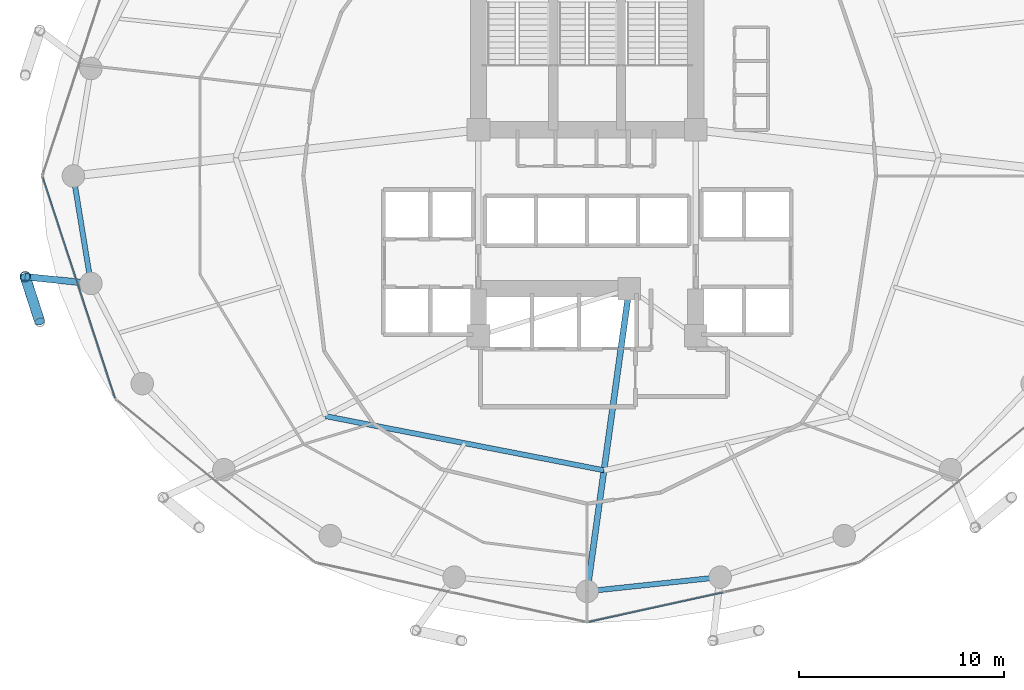
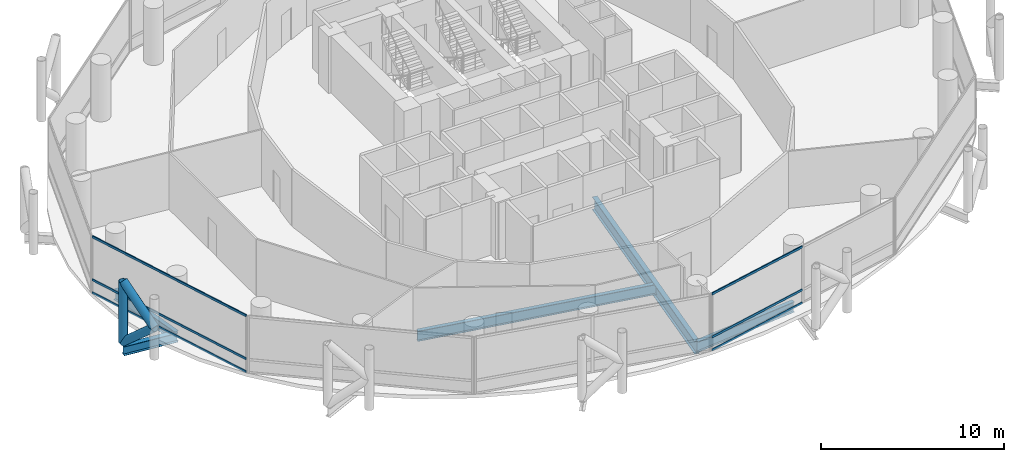
# One storey, part 5 of 25: 9 members, 5 beams, 2 elements without a shape of their own.
"""IFC4 building model written with IfcOpenShell, lengths in metres."""

from ifc_helpers import new_model, si_unit, direction, frame, origin, origin_2d, place, context, subcontext, project, spatial, hollow_rectangle, hollow_circle, i_section, extrude, material, layer, layer_set, material_profile, profile_set, type_object, element, aggregate, save


model = new_model("IFC4")

# Units and contexts
model_context = context("Model", 3, precision=1e-05, world=origin(), true_north=direction((0.0, 1.0)))
body_context = subcontext(model_context, "Body", "Model", "MODEL_VIEW")
ifc_project = project(units=[si_unit("LENGTHUNIT", "METRE"), si_unit("AREAUNIT", "SQUARE_METRE"), si_unit("VOLUMEUNIT", "CUBIC_METRE"), si_unit("PLANEANGLEUNIT", "RADIAN"), si_unit("MASSUNIT", "GRAM", prefix="KILO")], contexts=[model_context])

# Site, building, storey
site_placement = place(None, origin())
site = spatial("IfcSite", under=ifc_project, at=site_placement, CompositionType="ELEMENT")
building_placement = place(site_placement, origin())
building = spatial("IfcBuilding", under=site, at=building_placement, Name="Nuhasar Tower", CompositionType="ELEMENT")
storey_placement = place(building_placement, frame((0.0, 0.0, 61.5)))
storey = spatial("IfcBuildingStorey", under=building, at=storey_placement, Name="L14", CompositionType="ELEMENT", Elevation=61.5)

# Beams
ifc_material_1 = material(Name="Steel S355", Category="steel")
ifc_material_profile_1 = material_profile(ifc_material_1, i_section(OverallWidth=0.25390625, OverallDepth=0.68408203125, WebThickness=0.012451171875, FlangeThickness=0.018798828125, at=origin_2d()), Name="W27X94")
ifc_profile_set_1 = profile_set([ifc_material_profile_1], Name="Steel S355")
beam_type_1 = type_object("IfcBeamType", Name="BM-INRING-W27X94", PredefinedType="BEAM", material=ifc_profile_set_1)
beam_1_placement = place(storey_placement, frame((26.251953125, 15.089111328125, -0.592041015625), z_axis=(0.981602977761, -0.190933480695, 0.0), x_axis=(0.190933480695, 0.981602977761, 0.0)))
element("IfcBeam", 1, at=beam_1_placement, inside=storey, type_object=beam_type_1, Name="L14 Inner Header Beam 01", PredefinedType="BEAM", context=body_context, shape_type="SweptSolid", body=[
    extrude(i_section(OverallWidth=0.25390625, OverallDepth=0.68408203125, WebThickness=0.012451171875, FlangeThickness=0.018798828125, at=origin_2d()), origin(), (0.0, 0.0, 1.0), 13.822509765625),
])
ifc_material_profile_2 = material_profile(ifc_material_1, i_section(OverallWidth=0.2919921875, OverallDepth=0.85888671875, WebThickness=0.01708984375, FlangeThickness=0.031005859375, at=origin_2d()), Name="W33X169")
ifc_profile_set_2 = profile_set([ifc_material_profile_2], Name="Steel S355")
beam_type_2 = type_object("IfcBeamType", Name="BM-POD-W33X169", PredefinedType="BEAM", material=ifc_profile_set_2)
beam_2_placement = place(storey_placement, frame((41.050048828125, 21.300048828125, -0.678955078125), z_axis=(-0.137663087856, -0.990479113481, 0.0), x_axis=(0.990479113481, -0.137663087856, 0.0)))
element("IfcBeam", 2, at=beam_2_placement, inside=storey, type_object=beam_type_2, Name="L14 Radial Floor Girder 02", PredefinedType="BEAM", context=body_context, shape_type="SweptSolid", body=[
    extrude(i_section(OverallWidth=0.2919921875, OverallDepth=0.85888671875, WebThickness=0.01708984375, FlangeThickness=0.031005859375, at=origin_2d()), origin(), (0.0, 0.0, 1.0), 14.891845703125),
])
ifc_material_profile_3 = material_profile(ifc_material_1, i_section(OverallWidth=0.256103515625, OverallDepth=0.693115234375, WebThickness=0.014404296875, FlangeThickness=0.023681640625, at=origin_2d()), Name="W27X114")
ifc_profile_set_3 = profile_set([ifc_material_profile_3], Name="Steel S355")
beam_type_3 = type_object("IfcBeamType", Name="BM-RING-W27X114", PredefinedType="SPANDREL", material=ifc_profile_set_3)
beam_3_placement = place(storey_placement, frame((13.949951171875, 26.800048828125, -0.595947265625), z_axis=(0.160826635486, -0.986982671235, 0.0), x_axis=(0.986982671235, 0.160826635486, 0.0)))
element("IfcBeam", 3, at=beam_3_placement, inside=storey, type_object=beam_type_3, Name="L14 Perimeter Ring Spandrel 13", PredefinedType="SPANDREL", context=body_context, shape_type="SweptSolid", body=[
    extrude(i_section(OverallWidth=0.256103515625, OverallDepth=0.693115234375, WebThickness=0.014404296875, FlangeThickness=0.023681640625, at=origin_2d()), origin(), (0.0, 0.0, 1.0), 5.31005859375),
])
beam_4_placement = place(storey_placement, frame((39.0, 6.550048828125, -0.595947265625), z_axis=(0.994384554061, 0.105827022286, 0.0), x_axis=(-0.105827022286, 0.994384554061, 0.0)))
element("IfcBeam", 4, at=beam_4_placement, inside=storey, type_object=beam_type_3, Name="L14 Perimeter Ring Spandrel 19", PredefinedType="SPANDREL", context=body_context, shape_type="SweptSolid", body=[
    extrude(i_section(OverallWidth=0.256103515625, OverallDepth=0.693115234375, WebThickness=0.014404296875, FlangeThickness=0.023681640625, at=origin_2d()), origin(), (0.0, 0.0, 1.0), 6.51953125),
])
ifc_material_profile_4 = material_profile(ifc_material_1, i_section(OverallWidth=0.323974609375, OverallDepth=0.611083984375, WebThickness=0.0126953125, FlangeThickness=0.01904296875, at=origin_2d()), Name="W24X104")
ifc_profile_set_4 = profile_set([ifc_material_profile_4], Name="Steel S355")
beam_type_4 = type_object("IfcBeamType", Name="BM-TIE-W24X104", PredefinedType="BEAM", material=ifc_profile_set_4)
beam_5_placement = place(storey_placement, frame((14.803955078125, 21.55908203125, -0.555908203125), z_axis=(-0.994711572359, 0.102707778751, 0.0), x_axis=(-0.102707778751, -0.994711572359, 0.0)))
element("IfcBeam", 5, at=beam_5_placement, inside=storey, type_object=beam_type_4, Name="L14 Exoskeleton Node Tie Beam 07", PredefinedType="BEAM", context=body_context, shape_type="SweptSolid", body=[
    extrude(i_section(OverallWidth=0.323974609375, OverallDepth=0.611083984375, WebThickness=0.0126953125, FlangeThickness=0.01904296875, at=origin_2d()), origin(), (0.0, 0.0, 1.0), 3.220947265625),
])

# Curtain wall, members
ifc_material_2 = material(Name="Aluminium 6063-T6", Category="aluminium")
ifc_layer = layer(ifc_material_2, 0.199951171875)
ifc_layer_set = layer_set([ifc_layer], Name="Aluminium 6063-T6")
curtain_wall_type = type_object("IfcCurtainWallType", Name="CW-Z1-OFF", PredefinedType="NOTDEFINED", material=ifc_layer_set)
curtain_wall_1_placement = place(storey_placement, origin())
curtain_wall_1 = element("IfcCurtainWall", 6, at=curtain_wall_1_placement, inside=storey, type_object=curtain_wall_type, Name="L14 Unitised Curtain Wall 07", PredefinedType="NOTDEFINED")
ifc_material_profile_5 = material_profile(ifc_material_2, hollow_rectangle(XDim=0.06494140625, YDim=0.14990234375, WallThickness=0.00439453125, at=origin_2d()), Name="CWT-2")
ifc_profile_set_5 = profile_set([ifc_material_profile_5], Name="Aluminium 6063-T6")
member_type_1 = type_object("IfcMemberType", Name="CW-TRN-S2", PredefinedType="USERDEFINED", material=ifc_profile_set_5)
member_1_placement = place(storey_placement, frame((12.460205078125, 26.73828125, 0.032470703125), z_axis=(0.310818687697, -0.950469222741, 0.0), x_axis=(0.950469222741, 0.310818687697, 0.0)))
member_1 = element("IfcMember", 7, at=member_1_placement, type_object=member_type_1, Name="CW-Z1 transom 1.1", ObjectType="TRANSOM", PredefinedType="USERDEFINED", context=body_context, shape_type="SweptSolid", body=[
    extrude(hollow_rectangle(XDim=0.06494140625, YDim=0.14990234375, WallThickness=0.00439453125, at=origin_2d()), origin(), (0.0, 0.0, 1.0), 11.317138671875),
])
member_2_placement = place(storey_placement, frame((12.460205078125, 26.73828125, 0.89990234375), z_axis=(0.310818687697, -0.950469222741, 0.0), x_axis=(0.950469222741, 0.310818687697, 0.0)))
member_2 = element("IfcMember", 8, at=member_2_placement, type_object=member_type_1, Name="CW-Z1 transom 1.2", ObjectType="TRANSOM", PredefinedType="USERDEFINED", context=body_context, shape_type="SweptSolid", body=[
    extrude(hollow_rectangle(XDim=0.06494140625, YDim=0.14990234375, WallThickness=0.00439453125, at=origin_2d()), origin(), (0.0, 0.0, 1.0), 11.317138671875),
])
member_3_placement = place(storey_placement, frame((12.460205078125, 26.73828125, 3.767578125), z_axis=(0.310818687697, -0.950469222741, 0.0), x_axis=(0.950469222741, 0.310818687697, 0.0)))
member_3 = element("IfcMember", 9, at=member_3_placement, type_object=member_type_1, Name="CW-Z1 transom 1.3", ObjectType="TRANSOM", PredefinedType="USERDEFINED", context=body_context, shape_type="SweptSolid", body=[
    extrude(hollow_rectangle(XDim=0.06494140625, YDim=0.14990234375, WallThickness=0.00439453125, at=origin_2d()), origin(), (0.0, 0.0, 1.0), 11.317138671875),
])
aggregate(curtain_wall_1, [member_1, member_2, member_3])

curtain_wall_2_placement = place(storey_placement, origin())
curtain_wall_2 = element("IfcCurtainWall", 10, at=curtain_wall_2_placement, inside=storey, type_object=curtain_wall_type, Name="L14 Unitised Curtain Wall 10", PredefinedType="NOTDEFINED")
member_4_placement = place(storey_placement, frame((39.0634765625, 5.053955078125, 0.032470703125), z_axis=(0.976747879138, 0.214391185916, 0.0), x_axis=(-0.214391185916, 0.976747879138, 0.0)))
member_4 = element("IfcMember", 11, at=member_4_placement, type_object=member_type_1, Name="CW-Z1 transom 1.1", ObjectType="TRANSOM", PredefinedType="USERDEFINED", context=body_context, shape_type="SweptSolid", body=[
    extrude(hollow_rectangle(XDim=0.06494140625, YDim=0.14990234375, WallThickness=0.00439453125, at=origin_2d()), origin(), (0.0, 0.0, 1.0), 6.700439453125),
])
member_5_placement = place(storey_placement, frame((39.0634765625, 5.053955078125, 0.89990234375), z_axis=(0.976747879138, 0.214391185916, 0.0), x_axis=(-0.214391185916, 0.976747879138, 0.0)))
member_5 = element("IfcMember", 12, at=member_5_placement, type_object=member_type_1, Name="CW-Z1 transom 1.2", ObjectType="TRANSOM", PredefinedType="USERDEFINED", context=body_context, shape_type="SweptSolid", body=[
    extrude(hollow_rectangle(XDim=0.06494140625, YDim=0.14990234375, WallThickness=0.00439453125, at=origin_2d()), origin(), (0.0, 0.0, 1.0), 6.700439453125),
])
member_6_placement = place(storey_placement, frame((39.0634765625, 5.053955078125, 3.767578125), z_axis=(0.976747879138, 0.214391185916, 0.0), x_axis=(-0.214391185916, 0.976747879138, 0.0)))
member_6 = element("IfcMember", 13, at=member_6_placement, type_object=member_type_1, Name="CW-Z1 transom 1.3", ObjectType="TRANSOM", PredefinedType="USERDEFINED", context=body_context, shape_type="SweptSolid", body=[
    extrude(hollow_rectangle(XDim=0.06494140625, YDim=0.14990234375, WallThickness=0.00439453125, at=origin_2d()), origin(), (0.0, 0.0, 1.0), 6.700439453125),
])
aggregate(curtain_wall_2, [member_4, member_5, member_6])

# Members
ifc_material_3 = material(Name="Steel S460", Category="steel")
ifc_material_profile_6 = material_profile(ifc_material_3, hollow_circle(Radius=0.25390625, WallThickness=0.025390625, at=origin_2d()), Name="HSS508X25.4")
ifc_profile_set_6 = profile_set([ifc_material_profile_6], Name="Steel S460")
member_type_2 = type_object("IfcMemberType", Name="EXO-BRONZE-508", PredefinedType="BRACE", material=ifc_profile_set_6)
member_7_placement = place(storey_placement, frame((11.60009765625, 21.889892578125, 0.0), z_axis=(0.0, 0.0, 1.0), x_axis=(1.0, 0.0, 0.0)))
element("IfcMember", 14, at=member_7_placement, inside=storey, type_object=member_type_2, Name="L14 Exoskeleton Chord Column EC-07A", PredefinedType="BRACE", context=body_context, shape_type="SweptSolid", body=[
    extrude(hollow_circle(Radius=0.25390625, WallThickness=0.025390625, at=origin_2d()), origin(), (0.0, 0.0, 1.0), 4.050048828125),
])
member_8_placement = place(storey_placement, frame((11.60009765625, 21.889892578125, 0.0), z_axis=(0.231011836313, -0.714224870475, 0.660693851854), x_axis=(0.951468282519, 0.307746823478, 0.0)))
element("IfcMember", 15, at=member_8_placement, inside=storey, type_object=member_type_2, Name="L14 Bronze Diagrid Brace W1-07", PredefinedType="BRACE", context=body_context, shape_type="SweptSolid", body=[
    extrude(hollow_circle(Radius=0.25390625, WallThickness=0.025390625, at=origin_2d()), origin(), (0.0, 0.0, 1.0), 3.064697265625),
])
member_9_placement = place(storey_placement, frame((12.30810546875, 19.700927734375, 2.02490234375), z_axis=(-0.230999678299, 0.714187281251, 0.660738734997), x_axis=(-0.951468282519, -0.307746823478, 0.0)))
element("IfcMember", 16, at=member_9_placement, inside=storey, type_object=member_type_2, Name="L14 Bronze Diagrid Brace W2-07", PredefinedType="BRACE", context=body_context, shape_type="SweptSolid", body=[
    extrude(hollow_circle(Radius=0.25390625, WallThickness=0.025390625, at=origin_2d()), origin(), (0.0, 0.0, 1.0), 3.06494140625),
])

save(model, "model.ifc")
